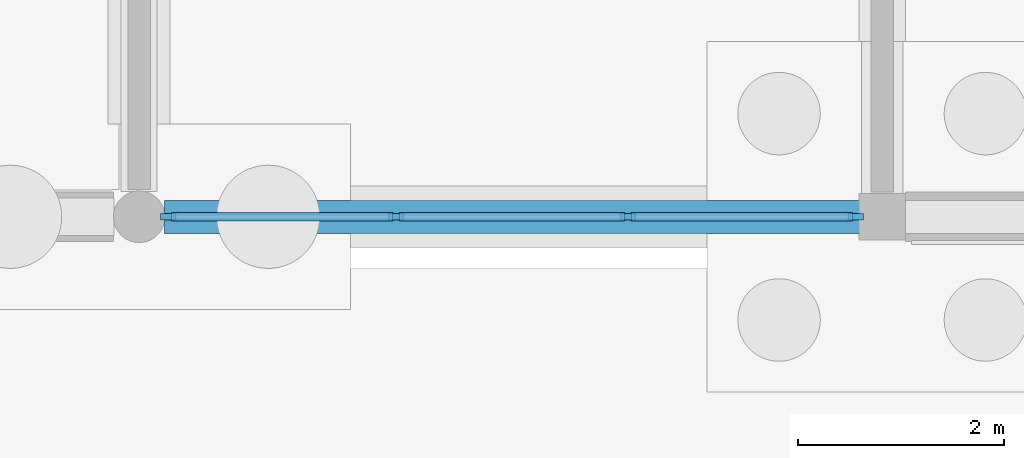
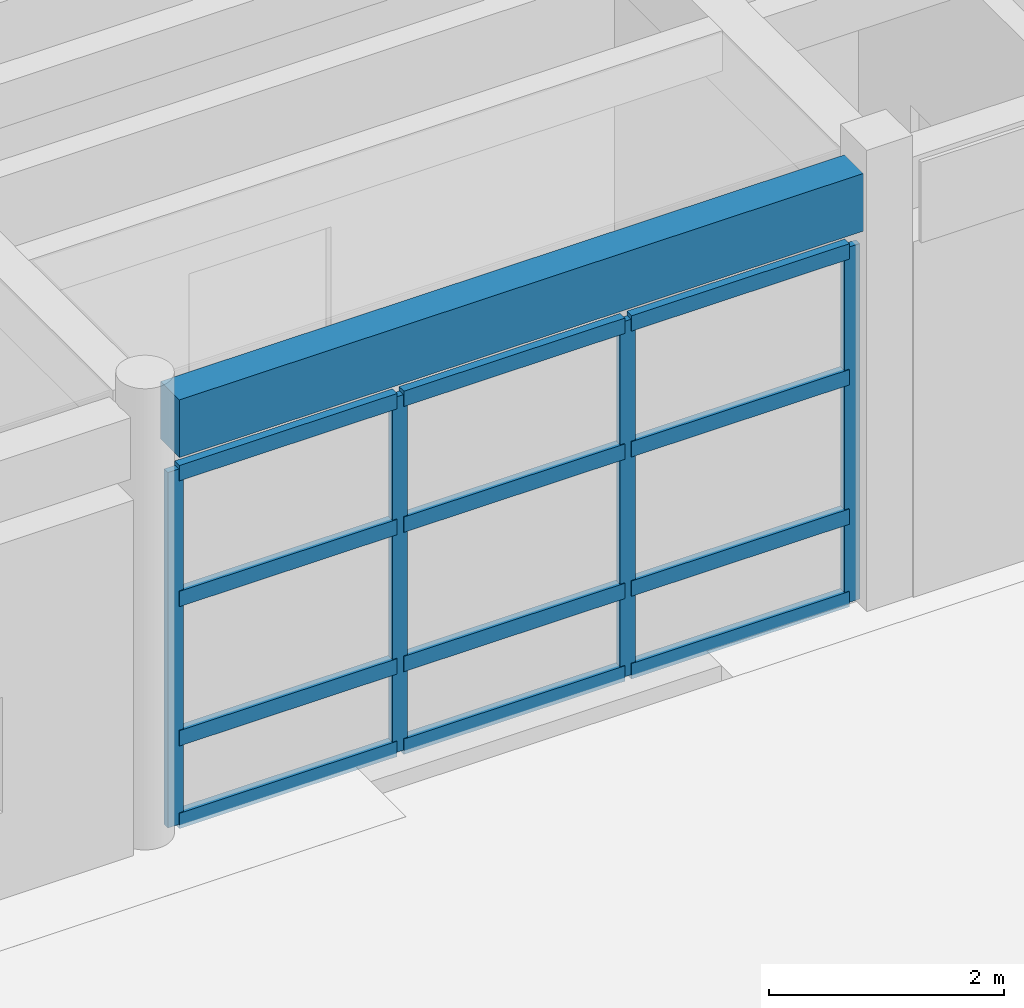
# One storey, part 56 of 143: 16 members, 1 beam, 1 element without a shape of its own.
"""IFC4 building model written with IfcOpenShell, lengths in metres."""

from ifc_helpers import new_model, si_unit, direction, frame, origin, origin_2d, place, context, subcontext, project, spatial, rectangle, extrude, material, material_profile, profile_set, type_object, element, aggregate, save


model = new_model("IFC4")

# Units and contexts
model_context = context("Model", 3, precision=1e-05, world=origin(), true_north=direction((0.0, 1.0)))
body_context = subcontext(model_context, "Body", "Model", "MODEL_VIEW")
ifc_project = project(units=[si_unit("LENGTHUNIT", "METRE"), si_unit("AREAUNIT", "SQUARE_METRE"), si_unit("VOLUMEUNIT", "CUBIC_METRE"), si_unit("PLANEANGLEUNIT", "RADIAN"), si_unit("MASSUNIT", "GRAM", prefix="KILO")], contexts=[model_context])

# Site, building, storey
site_placement = place(None, origin())
site = spatial("IfcSite", under=ifc_project, at=site_placement, CompositionType="ELEMENT")
building_placement = place(site_placement, origin())
building = spatial("IfcBuilding", under=site, at=building_placement, Name="Steenspoor Specialist Clinic", CompositionType="ELEMENT")
storey_placement = place(building_placement, origin())
storey = spatial("IfcBuildingStorey", under=building, at=storey_placement, Name="L00", CompositionType="ELEMENT", Elevation=0.0)

# Curtain wall, members
ifc_material_1 = material(Name="Thermally broken aluminium and low-emissivity glass", Category="aluminium")
curtain_wall_type = type_object("IfcCurtainWallType", Name="CW-WLK-520X340", PredefinedType="USERDEFINED", material=ifc_material_1)
curtain_wall_placement = place(storey_placement, origin())
curtain_wall = element("IfcCurtainWall", 1, at=curtain_wall_placement, inside=storey, type_object=curtain_wall_type, Name="Unitised Curtain Wall CW-V6-L00-165", ObjectType="UNITISED GLAZING", PredefinedType="USERDEFINED")
ifc_material_2 = material(Name="Thermally broken aluminium 6063-T6", Category="aluminium")
ifc_material_profile_1 = material_profile(ifc_material_2, rectangle(XDim=0.06494140625, YDim=0.14990234375, at=origin_2d()), Name="CWM-65X150")
ifc_profile_set_1 = profile_set([ifc_material_profile_1], Name="Thermally broken aluminium 6063-T6")
member_type_1 = type_object("IfcMemberType", Name="CW-MULL-65X150", PredefinedType="MULLION", material=ifc_profile_set_1)
member_1_placement = place(storey_placement, frame((132.142578125, 65.14990234375, 0.0), z_axis=(0.0, 0.0, 1.0), x_axis=(0.0, -1.0, 0.0)))
member_1 = element("IfcMember", 2, at=member_1_placement, type_object=member_type_1, Name="CW-21 mullion 1", PredefinedType="MULLION", context=body_context, shape_type="SweptSolid", body=[
    extrude(rectangle(XDim=0.06494140625, YDim=0.14990234375, at=origin_2d()), origin(), (0.0, 0.0, 1.0), 3.699951171875),
])
member_2_placement = place(storey_placement, frame((129.933349609375, 65.14990234375, 0.0), z_axis=(0.0, 0.0, 1.0), x_axis=(0.0, -1.0, 0.0)))
member_2 = element("IfcMember", 3, at=member_2_placement, type_object=member_type_1, Name="CW-21 mullion 2", PredefinedType="MULLION", context=body_context, shape_type="SweptSolid", body=[
    extrude(rectangle(XDim=0.06494140625, YDim=0.14990234375, at=origin_2d()), origin(), (0.0, 0.0, 1.0), 3.699951171875),
])
member_3_placement = place(storey_placement, frame((127.691650390625, 65.14990234375, 0.0), z_axis=(0.0, 0.0, 1.0), x_axis=(0.0, -1.0, 0.0)))
member_3 = element("IfcMember", 4, at=member_3_placement, type_object=member_type_1, Name="CW-21 mullion 3", PredefinedType="MULLION", context=body_context, shape_type="SweptSolid", body=[
    extrude(rectangle(XDim=0.06494140625, YDim=0.14990234375, at=origin_2d()), origin(), (0.0, 0.0, 1.0), 3.699951171875),
])
member_4_placement = place(storey_placement, frame((125.482421875, 65.14990234375, 0.0), z_axis=(0.0, 0.0, 1.0), x_axis=(0.0, -1.0, 0.0)))
member_4 = element("IfcMember", 5, at=member_4_placement, type_object=member_type_1, Name="CW-21 mullion 4", PredefinedType="MULLION", context=body_context, shape_type="SweptSolid", body=[
    extrude(rectangle(XDim=0.06494140625, YDim=0.14990234375, at=origin_2d()), origin(), (0.0, 0.0, 1.0), 3.699951171875),
])
ifc_material_profile_2 = material_profile(ifc_material_2, rectangle(XDim=0.080078125, YDim=0.159912109375, at=origin_2d()), Name="CWT-80X160")
ifc_profile_set_2 = profile_set([ifc_material_profile_2], Name="Thermally broken aluminium 6063-T6")
member_type_2 = type_object("IfcMemberType", Name="CW-TRAN-80X160", PredefinedType="USERDEFINED", material=ifc_profile_set_2)
member_5_placement = place(storey_placement, frame((132.110107421875, 65.14990234375, 0.0400390625), z_axis=(-1.0, 0.0, 0.0), x_axis=(0.0, -1.0, 0.0)))
member_5 = element("IfcMember", 6, at=member_5_placement, type_object=member_type_2, Name="CW-21 transom 1.1", ObjectType="TRANSOM", PredefinedType="USERDEFINED", context=body_context, shape_type="SweptSolid", body=[
    extrude(rectangle(XDim=0.080078125, YDim=0.159912109375, at=origin_2d()), origin(), (0.0, 0.0, 1.0), 2.144287109375),
])
member_6_placement = place(storey_placement, frame((132.110107421875, 65.14990234375, 0.89990234375), z_axis=(-1.0, 0.0, 0.0), x_axis=(0.0, -1.0, 0.0)))
member_6 = element("IfcMember", 7, at=member_6_placement, type_object=member_type_2, Name="CW-21 transom 1.2", ObjectType="TRANSOM", PredefinedType="USERDEFINED", context=body_context, shape_type="SweptSolid", body=[
    extrude(rectangle(XDim=0.080078125, YDim=0.159912109375, at=origin_2d()), origin(), (0.0, 0.0, 1.0), 2.144287109375),
])
member_7_placement = place(storey_placement, frame((132.110107421875, 65.14990234375, 2.35009765625), z_axis=(-1.0, 0.0, 0.0), x_axis=(0.0, -1.0, 0.0)))
member_7 = element("IfcMember", 8, at=member_7_placement, type_object=member_type_2, Name="CW-21 transom 1.3", ObjectType="TRANSOM", PredefinedType="USERDEFINED", context=body_context, shape_type="SweptSolid", body=[
    extrude(rectangle(XDim=0.080078125, YDim=0.159912109375, at=origin_2d()), origin(), (0.0, 0.0, 1.0), 2.144287109375),
])
member_8_placement = place(storey_placement, frame((132.110107421875, 65.14990234375, 3.659912109375), z_axis=(-1.0, 0.0, 0.0), x_axis=(0.0, -1.0, 0.0)))
member_8 = element("IfcMember", 9, at=member_8_placement, type_object=member_type_2, Name="CW-21 transom 1.4", ObjectType="TRANSOM", PredefinedType="USERDEFINED", context=body_context, shape_type="SweptSolid", body=[
    extrude(rectangle(XDim=0.080078125, YDim=0.159912109375, at=origin_2d()), origin(), (0.0, 0.0, 1.0), 2.144287109375),
])
member_9_placement = place(storey_placement, frame((129.90087890625, 65.14990234375, 0.0400390625), z_axis=(-1.0, 0.0, 0.0), x_axis=(0.0, -1.0, 0.0)))
member_9 = element("IfcMember", 10, at=member_9_placement, type_object=member_type_2, Name="CW-21 transom 2.1", ObjectType="TRANSOM", PredefinedType="USERDEFINED", context=body_context, shape_type="SweptSolid", body=[
    extrude(rectangle(XDim=0.080078125, YDim=0.159912109375, at=origin_2d()), origin(), (0.0, 0.0, 1.0), 2.1767578125),
])
member_10_placement = place(storey_placement, frame((129.90087890625, 65.14990234375, 0.89990234375), z_axis=(-1.0, 0.0, 0.0), x_axis=(0.0, -1.0, 0.0)))
member_10 = element("IfcMember", 11, at=member_10_placement, type_object=member_type_2, Name="CW-21 transom 2.2", ObjectType="TRANSOM", PredefinedType="USERDEFINED", context=body_context, shape_type="SweptSolid", body=[
    extrude(rectangle(XDim=0.080078125, YDim=0.159912109375, at=origin_2d()), origin(), (0.0, 0.0, 1.0), 2.1767578125),
])
member_11_placement = place(storey_placement, frame((129.90087890625, 65.14990234375, 2.35009765625), z_axis=(-1.0, 0.0, 0.0), x_axis=(0.0, -1.0, 0.0)))
member_11 = element("IfcMember", 12, at=member_11_placement, type_object=member_type_2, Name="CW-21 transom 2.3", ObjectType="TRANSOM", PredefinedType="USERDEFINED", context=body_context, shape_type="SweptSolid", body=[
    extrude(rectangle(XDim=0.080078125, YDim=0.159912109375, at=origin_2d()), origin(), (0.0, 0.0, 1.0), 2.1767578125),
])
member_12_placement = place(storey_placement, frame((129.90087890625, 65.14990234375, 3.659912109375), z_axis=(-1.0, 0.0, 0.0), x_axis=(0.0, -1.0, 0.0)))
member_12 = element("IfcMember", 13, at=member_12_placement, type_object=member_type_2, Name="CW-21 transom 2.4", ObjectType="TRANSOM", PredefinedType="USERDEFINED", context=body_context, shape_type="SweptSolid", body=[
    extrude(rectangle(XDim=0.080078125, YDim=0.159912109375, at=origin_2d()), origin(), (0.0, 0.0, 1.0), 2.1767578125),
])
member_13_placement = place(storey_placement, frame((127.6591796875, 65.14990234375, 0.0400390625), z_axis=(-1.0, 0.0, 0.0), x_axis=(0.0, -1.0, 0.0)))
member_13 = element("IfcMember", 14, at=member_13_placement, type_object=member_type_2, Name="CW-21 transom 3.1", ObjectType="TRANSOM", PredefinedType="USERDEFINED", context=body_context, shape_type="SweptSolid", body=[
    extrude(rectangle(XDim=0.080078125, YDim=0.159912109375, at=origin_2d()), origin(), (0.0, 0.0, 1.0), 2.144287109375),
])
member_14_placement = place(storey_placement, frame((127.6591796875, 65.14990234375, 0.89990234375), z_axis=(-1.0, 0.0, 0.0), x_axis=(0.0, -1.0, 0.0)))
member_14 = element("IfcMember", 15, at=member_14_placement, type_object=member_type_2, Name="CW-21 transom 3.2", ObjectType="TRANSOM", PredefinedType="USERDEFINED", context=body_context, shape_type="SweptSolid", body=[
    extrude(rectangle(XDim=0.080078125, YDim=0.159912109375, at=origin_2d()), origin(), (0.0, 0.0, 1.0), 2.144287109375),
])
member_15_placement = place(storey_placement, frame((127.6591796875, 65.14990234375, 2.35009765625), z_axis=(-1.0, 0.0, 0.0), x_axis=(0.0, -1.0, 0.0)))
member_15 = element("IfcMember", 16, at=member_15_placement, type_object=member_type_2, Name="CW-21 transom 3.3", ObjectType="TRANSOM", PredefinedType="USERDEFINED", context=body_context, shape_type="SweptSolid", body=[
    extrude(rectangle(XDim=0.080078125, YDim=0.159912109375, at=origin_2d()), origin(), (0.0, 0.0, 1.0), 2.144287109375),
])
member_16_placement = place(storey_placement, frame((127.6591796875, 65.14990234375, 3.659912109375), z_axis=(-1.0, 0.0, 0.0), x_axis=(0.0, -1.0, 0.0)))
member_16 = element("IfcMember", 17, at=member_16_placement, type_object=member_type_2, Name="CW-21 transom 3.4", ObjectType="TRANSOM", PredefinedType="USERDEFINED", context=body_context, shape_type="SweptSolid", body=[
    extrude(rectangle(XDim=0.080078125, YDim=0.159912109375, at=origin_2d()), origin(), (0.0, 0.0, 1.0), 2.144287109375),
])
aggregate(curtain_wall, [member_1, member_2, member_3, member_4, member_5, member_6, member_7, member_8, member_9, member_10, member_11, member_12, member_13, member_14, member_15, member_16])

# Beam
ifc_material_3 = material(Name="Concrete C35/45", Category="concrete")
ifc_material_profile_3 = material_profile(ifc_material_3, rectangle(XDim=0.320068359375, YDim=0.60009765625, at=origin_2d()), Name="RC-SP-320X600")
ifc_profile_set_3 = profile_set([ifc_material_profile_3], Name="Concrete C35/45")
beam_type = type_object("IfcBeamType", Name="SP-RC-320X600", PredefinedType="SPANDREL", material=ifc_profile_set_3)
beam_placement = place(storey_placement, frame((125.445068359375, 65.14990234375, 4.219970703125), z_axis=(1.0, 0.0, 0.0), x_axis=(0.0, 1.0, 0.0)))
element("IfcBeam", 18, at=beam_placement, inside=storey, type_object=beam_type, Name="BM-V6-L00-X1357", PredefinedType="SPANDREL", context=body_context, shape_type="SweptSolid", body=[
    extrude(rectangle(XDim=0.320068359375, YDim=0.60009765625, at=origin_2d()), origin(), (0.0, 0.0, 1.0), 6.73486328125),
])

save(model, "model.ifc")
